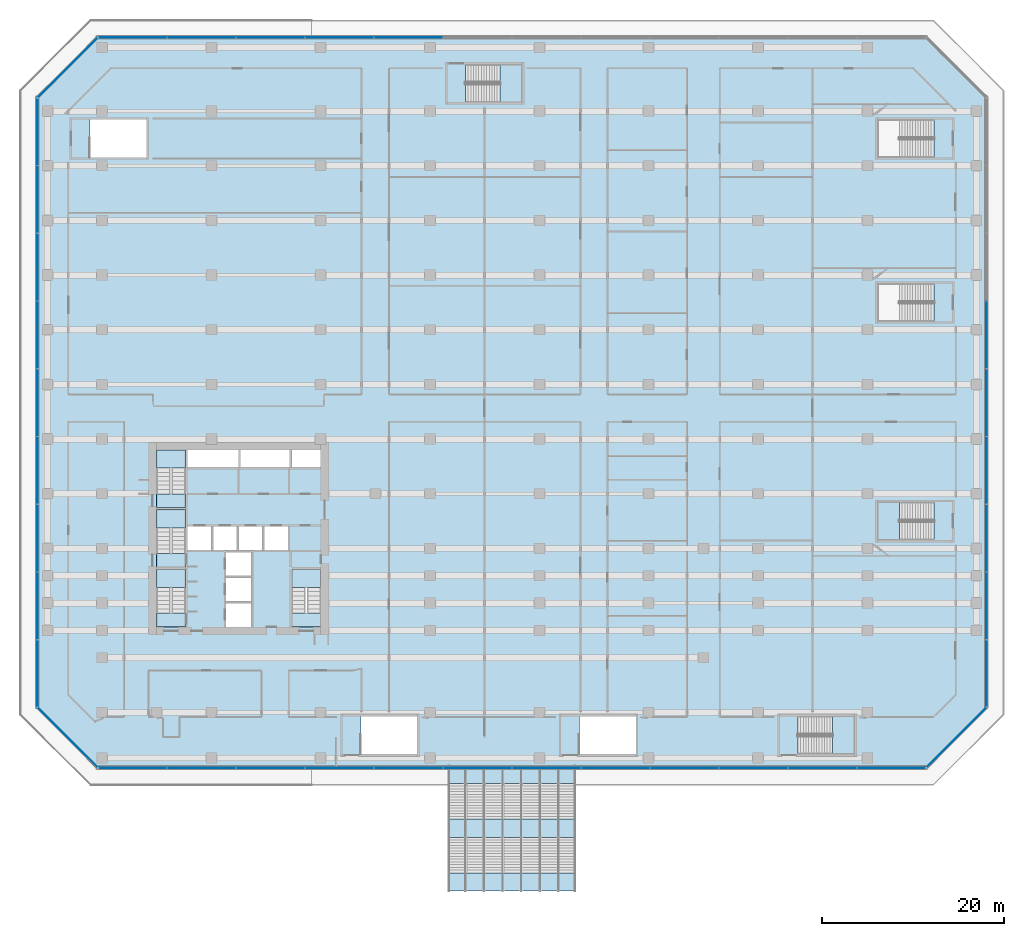
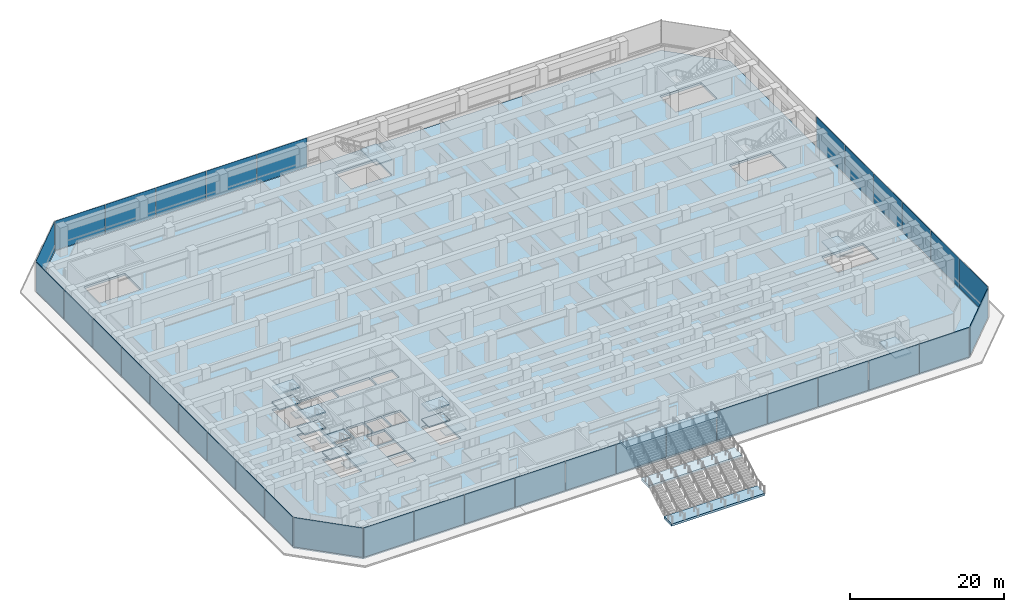
# One storey, part 25 of 40: 35 plates, 19 slabs, 15 elements without a shape of their own.
"""IFC4 building model written with IfcOpenShell, lengths in metres."""

import ifcopenshell
import ifcopenshell.guid

model = None  # the IFC model being written
_history = None  # IfcOwnerHistory: only IFC2X3 demands one
_inside = {}  # id of a spatial element -> (the spatial element, [elements in it])
_under = {}  # id of a project, library or spatial element -> (it, [spatial elements below it])
_declared = {}  # id of a project -> (the project, [libraries it declares])
_typed = {}  # id of a type object -> (the type object, [elements of that type])
_made_of = {}  # id of a material, layer set ... -> (it, [elements and type objects made of it])


def new_model(schema):
    """Start an empty IFC model of exactly this schema.

    Asked for "IFC4X3", IfcOpenShell would pick the latest addendum, in which some entities
    have other attributes; the version numbers below select the first issue.
    IFC2X3 requires an IfcOwnerHistory on every rooted entity: one is made here for all.
    """
    global model, _history
    if schema == "IFC4X3":
        model = ifcopenshell.file(schema_version=(4, 3, 0, 0))
    else:
        model = ifcopenshell.file(schema=schema)
    _inside.clear()
    _under.clear()
    _declared.clear()
    _typed.clear()
    _made_of.clear()
    _history = None
    if model.schema == "IFC2X3":
        org = make("IfcOrganization", Name="unknown")
        user = make(
            "IfcPersonAndOrganization",
            ThePerson=make("IfcPerson", FamilyName="unknown"),
            TheOrganization=org,
        )
        app = make(
            "IfcApplication",
            ApplicationDeveloper=org,
            Version="unknown",
            ApplicationFullName="unknown",
            ApplicationIdentifier="unknown",
        )
        _history = make(
            "IfcOwnerHistory",
            OwningUser=user,
            OwningApplication=app,
            ChangeAction="ADDED",
            CreationDate=0,
        )
    return model


def make(cls, **values):
    """One entity of the class cls with the attributes given. An attribute that is None is left unset."""
    return model.create_entity(
        cls, **{name: value for name, value in values.items() if value is not None}
    )


def rooted(cls, **values):
    """An entity with a GlobalId (a new one), such as an element, a storey or a relation."""
    return make(cls, GlobalId=ifcopenshell.guid.new(), OwnerHistory=_history, **values)


def si_unit(unit_type, name, prefix=None):
    """IfcSIUnit, for example si_unit("LENGTHUNIT", "METRE", prefix="MILLI")."""
    return make("IfcSIUnit", UnitType=unit_type, Prefix=prefix, Name=name)


def assignment(units):
    """IfcUnitAssignment: the units of a project."""
    return None if units is None else make("IfcUnitAssignment", Units=units)


def point(xyz):
    """IfcCartesianPoint."""
    return None if xyz is None else make("IfcCartesianPoint", Coordinates=xyz)


def direction(xyz):
    """IfcDirection."""
    return None if xyz is None else make("IfcDirection", DirectionRatios=xyz)


def frame(location, z_axis=None, x_axis=None):
    """IfcAxis2Placement3D, a coordinate frame: its origin and axes. An axis left out is left unset."""
    return make(
        "IfcAxis2Placement3D",
        Location=point(location),
        Axis=direction(z_axis),
        RefDirection=direction(x_axis),
    )


def frame_2d(location, x_axis=None):
    """IfcAxis2Placement2D, a coordinate frame in the plane: its origin and x axis."""
    return make(
        "IfcAxis2Placement2D", Location=point(location), RefDirection=direction(x_axis)
    )


def origin():
    """The frame at (0, 0, 0) with its axes left unset."""
    return frame((0.0, 0.0, 0.0))


def origin_2d():
    """The frame at (0, 0) in the plane with its x axis left unset."""
    return frame_2d((0.0, 0.0))


def place(relative_to, where):
    """IfcLocalPlacement: puts the frame where relative to a parent placement (None: the world)."""
    return make(
        "IfcLocalPlacement", PlacementRelTo=relative_to, RelativePlacement=where
    )


def context(
    kind, dimensions, precision=None, world=None, true_north=None, identifier=None
):
    """IfcGeometricRepresentationContext, for example the 3D "Model" context."""
    return make(
        "IfcGeometricRepresentationContext",
        ContextIdentifier=identifier,
        ContextType=kind,
        CoordinateSpaceDimension=dimensions,
        Precision=precision,
        WorldCoordinateSystem=world,
        TrueNorth=true_north,
    )


def subcontext(parent, identifier, kind, view, scale=None):
    """IfcGeometricRepresentationSubContext, for example "Body" below "Model"."""
    return make(
        "IfcGeometricRepresentationSubContext",
        ContextIdentifier=identifier,
        ContextType=kind,
        ParentContext=parent,
        TargetScale=scale,
        TargetView=view,
    )


def project(units=None, contexts=None):
    """IfcProject with its units and contexts."""
    return rooted(
        "IfcProject",
        Name="project",
        RepresentationContexts=contexts,
        UnitsInContext=assignment(units),
    )


def spatial(cls, under=None, at=None, **own):
    """A site, building, storey or space (cls), placed at a placement, below another one or the project."""
    s = rooted(cls, ObjectPlacement=at, **own)
    if under is not None:
        _under.setdefault(under.id(), (under, []))[1].append(s)
    return s


def polyline(points):
    """IfcPolyline through the points."""
    return make("IfcPolyline", Points=[point(p) for p in points])


def profile(cls, at=None, kind="AREA", **sizes):
    """A parametric profile (cls). Its sizes go by their IFC names, for example OverallWidth=200.0."""
    return make(cls, ProfileType=kind, Position=at, **sizes)


def rectangle(**sizes):
    """IfcRectangleProfileDef."""
    return profile("IfcRectangleProfileDef", **sizes)


def outline(outer, holes=None, kind="AREA"):
    """IfcArbitraryClosedProfileDef: a profile drawn as a closed curve; with holes, ...WithVoids."""
    if holes is None:
        return make("IfcArbitraryClosedProfileDef", ProfileType=kind, OuterCurve=outer)
    return make(
        "IfcArbitraryProfileDefWithVoids",
        ProfileType=kind,
        OuterCurve=outer,
        InnerCurves=holes,
    )


def extrude(swept, where, along, depth):
    """IfcExtrudedAreaSolid: the profile swept, set in the frame where, extruded along a direction by depth."""
    return make(
        "IfcExtrudedAreaSolid",
        SweptArea=swept,
        Position=where,
        ExtrudedDirection=direction(along),
        Depth=depth,
    )


def shape(context_of_items, identifier, shape_type, items):
    """IfcShapeRepresentation: the items that make up one representation, for example the "Body"."""
    return make(
        "IfcShapeRepresentation",
        ContextOfItems=context_of_items,
        RepresentationIdentifier=identifier,
        RepresentationType=shape_type,
        Items=items,
    )


def material(Name=None, Category=None):
    """IfcMaterial."""
    return make("IfcMaterial", Name=Name, Category=Category)


def layer(
    of_material, thickness, ventilated=None, Name=None, Category=None, Priority=None
):
    """IfcMaterialLayer: one layer of a wall or slab, of a material (None: an air gap)."""
    return make(
        "IfcMaterialLayer",
        Material=of_material,
        LayerThickness=thickness,
        IsVentilated=ventilated,
        Name=Name,
        Category=Category,
        Priority=Priority,
    )


def layer_set(layers, Name=None):
    """IfcMaterialLayerSet."""
    return make("IfcMaterialLayerSet", MaterialLayers=layers, LayerSetName=Name)


def made_of(thing, what):
    """Note that an element or type object is made of a material, layer set ...; save() writes the relation."""
    if what is not None:
        _made_of.setdefault(what.id(), (what, []))[1].append(thing)
    return thing


def type_object(cls, material=None, **own):
    """A type object (cls), such as IfcWallType, which elements share."""
    return made_of(rooted(cls, **own), material)


def element(
    cls,
    number,
    at=None,
    inside=None,
    cuts=None,
    type_object=None,
    material=None,
    context=None,
    identifier="Body",
    shape_type=None,
    held_by="IfcProductDefinitionShape",
    body=None,
    shapes=None,
    **own,
):
    """One element of the class cls, such as IfcWall. Its Tag is "e" and its number.

    at: its placement. inside: the storey or other place that contains it. cuts: it is an
    opening in that element (IfcRelVoidsElement). A single representation is given by context,
    identifier, shape_type and body (its items); several are given by shapes. held_by: the class
    of the entity that holds the representations. save() writes the other relations.
    """
    e = rooted(cls, Tag="e%d" % number, ObjectPlacement=at, **own)
    if body is not None:
        shapes = [shape(context, identifier, shape_type, body)]
    if shapes is not None:
        e.Representation = make(held_by, Representations=shapes)
    if inside is not None:
        _inside.setdefault(inside.id(), (inside, []))[1].append(e)
    if cuts is not None:
        rooted(
            "IfcRelVoidsElement", RelatingBuildingElement=cuts, RelatedOpeningElement=e
        )
    if type_object is not None:
        _typed.setdefault(type_object.id(), (type_object, []))[1].append(e)
    return made_of(e, material)


def aggregate(whole, parts):
    """IfcRelAggregates: a whole, such as a stair, and the parts it consists of."""
    return rooted("IfcRelAggregates", RelatingObject=whole, RelatedObjects=parts)


def save(model, path):
    """Write the relations noted so far, then the file.

    IfcRelAggregates (storeys below a building ...), IfcRelContainedInSpatialStructure (elements
    in a storey), IfcRelDefinesByType, IfcRelAssociatesMaterial and IfcRelDeclares: one each for
    every whole, place, type object, material and project.
    """
    for whole, parts in _under.values():
        aggregate(whole, parts)
    for where, things in _inside.values():
        rooted(
            "IfcRelContainedInSpatialStructure",
            RelatedElements=things,
            RelatingStructure=where,
        )
    for kind, things in _typed.values():
        rooted("IfcRelDefinesByType", RelatedObjects=things, RelatingType=kind)
    for what, things in _made_of.values():
        rooted("IfcRelAssociatesMaterial", RelatedObjects=things, RelatingMaterial=what)
    for by, libraries in _declared.values():
        rooted("IfcRelDeclares", RelatingContext=by, RelatedDefinitions=libraries)
    model.write(path)


model = new_model("IFC4")

# Units and contexts
model_context = context("Model", 3, precision=1e-05, world=origin(), true_north=direction((0.0, 1.0)))
body_context = subcontext(model_context, "Body", "Model", "MODEL_VIEW")
ifc_project = project(units=[si_unit("LENGTHUNIT", "METRE"), si_unit("AREAUNIT", "SQUARE_METRE"), si_unit("VOLUMEUNIT", "CUBIC_METRE"), si_unit("PLANEANGLEUNIT", "RADIAN"), si_unit("MASSUNIT", "GRAM", prefix="KILO")], contexts=[model_context])

# Site, building, storey
site_placement = place(None, origin())
site = spatial("IfcSite", under=ifc_project, at=site_placement, CompositionType="ELEMENT")
building_placement = place(site_placement, origin())
building = spatial("IfcBuilding", under=site, at=building_placement, Name="Welwitschia Terrace Campus", CompositionType="ELEMENT")
storey_placement = place(building_placement, frame((0.0, 0.0, 6.0)))
storey = spatial("IfcBuildingStorey", under=building, at=storey_placement, Name="L01", CompositionType="ELEMENT", Elevation=6.0)

# Curtain wall, plates
ifc_material_1 = material(Name="Bronze anodised aluminium", Category="aluminium")
ifc_layer_1 = layer(ifc_material_1, 0.14990234375)
ifc_layer_set_1 = layer_set([ifc_layer_1], Name="Bronze anodised aluminium")
curtain_wall_type = type_object("IfcCurtainWallType", Name="Curtain wall CW1 podium 7500", PredefinedType="NOTDEFINED", material=ifc_layer_set_1)
curtain_wall_1_placement = place(storey_placement, origin())
curtain_wall_1 = element("IfcCurtainWall", 1, at=curtain_wall_1_placement, inside=storey, type_object=curtain_wall_type, Name="CW L01.0.0", PredefinedType="NOTDEFINED")
ifc_material_2 = material(Name="Tinted bronze-grey glass", Category="glass")
ifc_layer_2 = layer(ifc_material_2, 0.035888671875)
ifc_layer_set_2 = layer_set([ifc_layer_2], Name="Tinted bronze-grey glass")
plate_type = type_object("IfcPlateType", Name="Glass panel 36 tinted", PredefinedType="CURTAIN_PANEL", material=ifc_layer_set_2)
plate_1_placement = place(storey_placement, frame((3.35791015625, -10.0849609375, 0.0), z_axis=(0.0, 0.0, 1.0), x_axis=(1.0, 0.0, 0.0)))
plate_1 = element("IfcPlate", 2, at=plate_1_placement, type_object=plate_type, Name="Panel L01.0.0.0", PredefinedType="CURTAIN_PANEL", context=body_context, shape_type="SweptSolid", body=[
    extrude(rectangle(XDim=7.454833984375, YDim=0.035888671875, at=origin_2d()), origin(), (0.0, 0.0, 1.0), 4.64990234375),
])
plate_2_placement = place(storey_placement, frame((10.912841796875, -10.0849609375, 0.0), z_axis=(0.0, 0.0, 1.0), x_axis=(1.0, 0.0, 0.0)))
plate_2 = element("IfcPlate", 3, at=plate_2_placement, type_object=plate_type, Name="Panel L01.0.0.1", PredefinedType="CURTAIN_PANEL", context=body_context, shape_type="SweptSolid", body=[
    extrude(rectangle(XDim=7.494873046875, YDim=0.035888671875, at=origin_2d()), origin(), (0.0, 0.0, 1.0), 4.64990234375),
])
plate_3_placement = place(storey_placement, frame((18.48779296875, -10.0849609375, 0.0), z_axis=(0.0, 0.0, 1.0), x_axis=(1.0, 0.0, 0.0)))
plate_3 = element("IfcPlate", 4, at=plate_3_placement, type_object=plate_type, Name="Panel L01.0.0.2", PredefinedType="CURTAIN_PANEL", context=body_context, shape_type="SweptSolid", body=[
    extrude(rectangle(XDim=7.494873046875, YDim=0.035888671875, at=origin_2d()), origin(), (0.0, 0.0, 1.0), 4.64990234375),
])
plate_4_placement = place(storey_placement, frame((26.062744140625, -10.0849609375, 0.0), z_axis=(0.0, 0.0, 1.0), x_axis=(1.0, 0.0, 0.0)))
plate_4 = element("IfcPlate", 5, at=plate_4_placement, type_object=plate_type, Name="Panel L01.0.0.3", PredefinedType="CURTAIN_PANEL", context=body_context, shape_type="SweptSolid", body=[
    extrude(rectangle(XDim=7.494873046875, YDim=0.035888671875, at=origin_2d()), origin(), (0.0, 0.0, 1.0), 4.64990234375),
])
plate_5_placement = place(storey_placement, frame((33.6376953125, -10.0849609375, 0.0), z_axis=(0.0, 0.0, 1.0), x_axis=(1.0, 0.0, 0.0)))
plate_5 = element("IfcPlate", 6, at=plate_5_placement, type_object=plate_type, Name="Panel L01.0.0.4", PredefinedType="CURTAIN_PANEL", context=body_context, shape_type="SweptSolid", body=[
    extrude(rectangle(XDim=7.494873046875, YDim=0.035888671875, at=origin_2d()), origin(), (0.0, 0.0, 1.0), 4.64990234375),
])
plate_6_placement = place(storey_placement, frame((41.212646484375, -10.0849609375, 0.0), z_axis=(0.0, 0.0, 1.0), x_axis=(1.0, 0.0, 0.0)))
plate_6 = element("IfcPlate", 7, at=plate_6_placement, type_object=plate_type, Name="Panel L01.0.0.5", PredefinedType="CURTAIN_PANEL", context=body_context, shape_type="SweptSolid", body=[
    extrude(rectangle(XDim=7.494873046875, YDim=0.035888671875, at=origin_2d()), origin(), (0.0, 0.0, 1.0), 4.64990234375),
])
plate_7_placement = place(storey_placement, frame((48.787353515625, -10.0849609375, 0.0), z_axis=(0.0, 0.0, 1.0), x_axis=(1.0, 0.0, 0.0)))
plate_7 = element("IfcPlate", 8, at=plate_7_placement, type_object=plate_type, Name="Panel L01.0.0.6", PredefinedType="CURTAIN_PANEL", context=body_context, shape_type="SweptSolid", body=[
    extrude(rectangle(XDim=7.494873046875, YDim=0.035888671875, at=origin_2d()), origin(), (0.0, 0.0, 1.0), 4.64990234375),
])
plate_8_placement = place(storey_placement, frame((56.3623046875, -10.0849609375, 0.0), z_axis=(0.0, 0.0, 1.0), x_axis=(1.0, 0.0, 0.0)))
plate_8 = element("IfcPlate", 9, at=plate_8_placement, type_object=plate_type, Name="Panel L01.0.0.7", PredefinedType="CURTAIN_PANEL", context=body_context, shape_type="SweptSolid", body=[
    extrude(rectangle(XDim=7.494873046875, YDim=0.035888671875, at=origin_2d()), origin(), (0.0, 0.0, 1.0), 4.64990234375),
])
plate_9_placement = place(storey_placement, frame((63.937255859375, -10.0849609375, 0.0), z_axis=(0.0, 0.0, 1.0), x_axis=(1.0, 0.0, 0.0)))
plate_9 = element("IfcPlate", 10, at=plate_9_placement, type_object=plate_type, Name="Panel L01.0.0.8", PredefinedType="CURTAIN_PANEL", context=body_context, shape_type="SweptSolid", body=[
    extrude(rectangle(XDim=7.494873046875, YDim=0.035888671875, at=origin_2d()), origin(), (0.0, 0.0, 1.0), 4.64990234375),
])
plate_10_placement = place(storey_placement, frame((71.51220703125, -10.0849609375, 0.0), z_axis=(0.0, 0.0, 1.0), x_axis=(1.0, 0.0, 0.0)))
plate_10 = element("IfcPlate", 11, at=plate_10_placement, type_object=plate_type, Name="Panel L01.0.0.9", PredefinedType="CURTAIN_PANEL", context=body_context, shape_type="SweptSolid", body=[
    extrude(rectangle(XDim=7.494873046875, YDim=0.035888671875, at=origin_2d()), origin(), (0.0, 0.0, 1.0), 4.64990234375),
])
plate_11_placement = place(storey_placement, frame((79.087158203125, -10.0849609375, 0.0), z_axis=(0.0, 0.0, 1.0), x_axis=(1.0, 0.0, 0.0)))
plate_11 = element("IfcPlate", 12, at=plate_11_placement, type_object=plate_type, Name="Panel L01.0.0.10", PredefinedType="CURTAIN_PANEL", context=body_context, shape_type="SweptSolid", body=[
    extrude(rectangle(XDim=7.494873046875, YDim=0.035888671875, at=origin_2d()), origin(), (0.0, 0.0, 1.0), 4.64990234375),
])
plate_12_placement = place(storey_placement, frame((86.64208984375, -10.0849609375, 0.0), z_axis=(0.0, 0.0, 1.0), x_axis=(1.0, 0.0, 0.0)))
plate_12 = element("IfcPlate", 13, at=plate_12_placement, type_object=plate_type, Name="Panel L01.0.0.11", PredefinedType="CURTAIN_PANEL", context=body_context, shape_type="SweptSolid", body=[
    extrude(rectangle(XDim=7.454833984375, YDim=0.035888671875, at=origin_2d()), origin(), (0.0, 0.0, 1.0), 4.64990234375),
])
aggregate(curtain_wall_1, [plate_1, plate_2, plate_3, plate_4, plate_5, plate_6, plate_7, plate_8, plate_9, plate_10, plate_11, plate_12])

# Curtain wall, plate
curtain_wall_2_placement = place(storey_placement, origin())
curtain_wall_2 = element("IfcCurtainWall", 14, at=curtain_wall_2_placement, inside=storey, type_object=curtain_wall_type, Name="CW L01.1.0", PredefinedType="NOTDEFINED")
plate_13_placement = place(storey_placement, frame((93.76708984375, -6.76708984375, 0.0), z_axis=(0.0, 0.0, 1.0), x_axis=(0.707106781187, 0.707106781187, 0.0)))
plate_13 = element("IfcPlate", 15, at=plate_13_placement, type_object=plate_type, Name="Panel L01.1.0.0", PredefinedType="CURTAIN_PANEL", context=body_context, shape_type="SweptSolid", body=[
    extrude(rectangle(XDim=9.22412109375, YDim=0.035888671875, at=origin_2d()), origin(), (0.0, 0.0, 1.0), 4.64990234375),
])
aggregate(curtain_wall_2, [plate_13])

# Curtain wall, plates
curtain_wall_3_placement = place(storey_placement, origin())
curtain_wall_3 = element("IfcCurtainWall", 16, at=curtain_wall_3_placement, inside=storey, type_object=curtain_wall_type, Name="CW L01.2.0", PredefinedType="NOTDEFINED")
plate_14_placement = place(storey_placement, frame((97.0849609375, 0.287109375, 0.0), z_axis=(0.0, 0.0, 1.0), x_axis=(0.0, 1.0, 0.0)))
plate_14 = element("IfcPlate", 17, at=plate_14_placement, type_object=plate_type, Name="Panel L01.2.0.0", PredefinedType="CURTAIN_PANEL", context=body_context, shape_type="SweptSolid", body=[
    extrude(rectangle(XDim=7.313232421875, YDim=0.035888671875, at=origin_2d()), origin(), (0.0, 0.0, 1.0), 4.64990234375),
])
plate_15_placement = place(storey_placement, frame((97.0849609375, 7.700439453125, 0.0), z_axis=(0.0, 0.0, 1.0), x_axis=(0.0, 1.0, 0.0)))
plate_15 = element("IfcPlate", 18, at=plate_15_placement, type_object=plate_type, Name="Panel L01.2.0.1", PredefinedType="CURTAIN_PANEL", context=body_context, shape_type="SweptSolid", body=[
    extrude(rectangle(XDim=7.353271484375, YDim=0.035888671875, at=origin_2d()), origin(), (0.0, 0.0, 1.0), 4.64990234375),
])
plate_16_placement = place(storey_placement, frame((97.0849609375, 15.133544921875, 0.0), z_axis=(0.0, 0.0, 1.0), x_axis=(0.0, 1.0, 0.0)))
plate_16 = element("IfcPlate", 19, at=plate_16_placement, type_object=plate_type, Name="Panel L01.2.0.2", PredefinedType="CURTAIN_PANEL", context=body_context, shape_type="SweptSolid", body=[
    extrude(rectangle(XDim=7.353271484375, YDim=0.035888671875, at=origin_2d()), origin(), (0.0, 0.0, 1.0), 4.64990234375),
])
plate_17_placement = place(storey_placement, frame((97.0849609375, 22.56689453125, 0.0), z_axis=(0.0, 0.0, 1.0), x_axis=(0.0, 1.0, 0.0)))
plate_17 = element("IfcPlate", 20, at=plate_17_placement, type_object=plate_type, Name="Panel L01.2.0.3", PredefinedType="CURTAIN_PANEL", context=body_context, shape_type="SweptSolid", body=[
    extrude(rectangle(XDim=7.353271484375, YDim=0.035888671875, at=origin_2d()), origin(), (0.0, 0.0, 1.0), 4.64990234375),
])
plate_18_placement = place(storey_placement, frame((97.0849609375, 30.0, 0.0), z_axis=(0.0, 0.0, 1.0), x_axis=(0.0, 1.0, 0.0)))
plate_18 = element("IfcPlate", 21, at=plate_18_placement, type_object=plate_type, Name="Panel L01.2.0.4", PredefinedType="CURTAIN_PANEL", context=body_context, shape_type="SweptSolid", body=[
    extrude(rectangle(XDim=7.353271484375, YDim=0.035888671875, at=origin_2d()), origin(), (0.0, 0.0, 1.0), 4.64990234375),
])
plate_19_placement = place(storey_placement, frame((97.0849609375, 37.43310546875, 0.0), z_axis=(0.0, 0.0, 1.0), x_axis=(0.0, 1.0, 0.0)))
plate_19 = element("IfcPlate", 22, at=plate_19_placement, type_object=plate_type, Name="Panel L01.2.0.5", PredefinedType="CURTAIN_PANEL", context=body_context, shape_type="SweptSolid", body=[
    extrude(rectangle(XDim=7.353271484375, YDim=0.035888671875, at=origin_2d()), origin(), (0.0, 0.0, 1.0), 4.64990234375),
])
aggregate(curtain_wall_3, [plate_14, plate_15, plate_16, plate_17, plate_18, plate_19])

curtain_wall_4_placement = place(storey_placement, origin())
curtain_wall_4 = element("IfcCurtainWall", 23, at=curtain_wall_4_placement, inside=storey, type_object=curtain_wall_type, Name="CW L01.4.0", PredefinedType="NOTDEFINED")
plate_20_placement = place(storey_placement, frame((33.6376953125, 70.0849609375, 0.0), z_axis=(0.0, 0.0, 1.0), x_axis=(-1.0, 0.0, 0.0)))
plate_20 = element("IfcPlate", 24, at=plate_20_placement, type_object=plate_type, Name="Panel L01.4.0.7", PredefinedType="CURTAIN_PANEL", context=body_context, shape_type="SweptSolid", body=[
    extrude(rectangle(XDim=7.494873046875, YDim=0.035888671875, at=origin_2d()), origin(), (0.0, 0.0, 1.0), 4.64990234375),
])
plate_21_placement = place(storey_placement, frame((26.062744140625, 70.0849609375, 0.0), z_axis=(0.0, 0.0, 1.0), x_axis=(-1.0, 0.0, 0.0)))
plate_21 = element("IfcPlate", 25, at=plate_21_placement, type_object=plate_type, Name="Panel L01.4.0.8", PredefinedType="CURTAIN_PANEL", context=body_context, shape_type="SweptSolid", body=[
    extrude(rectangle(XDim=7.494873046875, YDim=0.035888671875, at=origin_2d()), origin(), (0.0, 0.0, 1.0), 4.64990234375),
])
plate_22_placement = place(storey_placement, frame((18.48779296875, 70.0849609375, 0.0), z_axis=(0.0, 0.0, 1.0), x_axis=(-1.0, 0.0, 0.0)))
plate_22 = element("IfcPlate", 26, at=plate_22_placement, type_object=plate_type, Name="Panel L01.4.0.9", PredefinedType="CURTAIN_PANEL", context=body_context, shape_type="SweptSolid", body=[
    extrude(rectangle(XDim=7.494873046875, YDim=0.035888671875, at=origin_2d()), origin(), (0.0, 0.0, 1.0), 4.64990234375),
])
plate_23_placement = place(storey_placement, frame((10.912841796875, 70.0849609375, 0.0), z_axis=(0.0, 0.0, 1.0), x_axis=(-1.0, 0.0, 0.0)))
plate_23 = element("IfcPlate", 27, at=plate_23_placement, type_object=plate_type, Name="Panel L01.4.0.10", PredefinedType="CURTAIN_PANEL", context=body_context, shape_type="SweptSolid", body=[
    extrude(rectangle(XDim=7.494873046875, YDim=0.035888671875, at=origin_2d()), origin(), (0.0, 0.0, 1.0), 4.64990234375),
])
plate_24_placement = place(storey_placement, frame((3.35791015625, 70.0849609375, 0.0), z_axis=(0.0, 0.0, 1.0), x_axis=(-1.0, 0.0, 0.0)))
plate_24 = element("IfcPlate", 28, at=plate_24_placement, type_object=plate_type, Name="Panel L01.4.0.11", PredefinedType="CURTAIN_PANEL", context=body_context, shape_type="SweptSolid", body=[
    extrude(rectangle(XDim=7.454833984375, YDim=0.035888671875, at=origin_2d()), origin(), (0.0, 0.0, 1.0), 4.64990234375),
])
aggregate(curtain_wall_4, [plate_20, plate_21, plate_22, plate_23, plate_24])

# Curtain wall, plate
curtain_wall_5_placement = place(storey_placement, origin())
curtain_wall_5 = element("IfcCurtainWall", 29, at=curtain_wall_5_placement, inside=storey, type_object=curtain_wall_type, Name="CW L01.5.0", PredefinedType="NOTDEFINED")
plate_25_placement = place(storey_placement, frame((-3.76708984375, 66.76708984375, 0.0), z_axis=(0.0, 0.0, 1.0), x_axis=(-0.707106781187, -0.707106781187, 0.0)))
plate_25 = element("IfcPlate", 30, at=plate_25_placement, type_object=plate_type, Name="Panel L01.5.0.0", PredefinedType="CURTAIN_PANEL", context=body_context, shape_type="SweptSolid", body=[
    extrude(rectangle(XDim=9.22412109375, YDim=0.035888671875, at=origin_2d()), origin(), (0.0, 0.0, 1.0), 4.64990234375),
])
aggregate(curtain_wall_5, [plate_25])

# Curtain wall, plates
curtain_wall_6_placement = place(storey_placement, origin())
curtain_wall_6 = element("IfcCurtainWall", 31, at=curtain_wall_6_placement, inside=storey, type_object=curtain_wall_type, Name="CW L01.6.0", PredefinedType="NOTDEFINED")
plate_26_placement = place(storey_placement, frame((-7.0849609375, 59.712890625, 0.0), z_axis=(0.0, 0.0, 1.0), x_axis=(0.0, -1.0, 0.0)))
plate_26 = element("IfcPlate", 32, at=plate_26_placement, type_object=plate_type, Name="Panel L01.6.0.0", PredefinedType="CURTAIN_PANEL", context=body_context, shape_type="SweptSolid", body=[
    extrude(rectangle(XDim=7.313232421875, YDim=0.035888671875, at=origin_2d()), origin(), (0.0, 0.0, 1.0), 4.64990234375),
])
plate_27_placement = place(storey_placement, frame((-7.0849609375, 52.299560546875, 0.0), z_axis=(0.0, 0.0, 1.0), x_axis=(0.0, -1.0, 0.0)))
plate_27 = element("IfcPlate", 33, at=plate_27_placement, type_object=plate_type, Name="Panel L01.6.0.1", PredefinedType="CURTAIN_PANEL", context=body_context, shape_type="SweptSolid", body=[
    extrude(rectangle(XDim=7.353271484375, YDim=0.035888671875, at=origin_2d()), origin(), (0.0, 0.0, 1.0), 4.64990234375),
])
plate_28_placement = place(storey_placement, frame((-7.0849609375, 44.866455078125, 0.0), z_axis=(0.0, 0.0, 1.0), x_axis=(0.0, -1.0, 0.0)))
plate_28 = element("IfcPlate", 34, at=plate_28_placement, type_object=plate_type, Name="Panel L01.6.0.2", PredefinedType="CURTAIN_PANEL", context=body_context, shape_type="SweptSolid", body=[
    extrude(rectangle(XDim=7.353271484375, YDim=0.035888671875, at=origin_2d()), origin(), (0.0, 0.0, 1.0), 4.64990234375),
])
plate_29_placement = place(storey_placement, frame((-7.0849609375, 37.43310546875, 0.0), z_axis=(0.0, 0.0, 1.0), x_axis=(0.0, -1.0, 0.0)))
plate_29 = element("IfcPlate", 35, at=plate_29_placement, type_object=plate_type, Name="Panel L01.6.0.3", PredefinedType="CURTAIN_PANEL", context=body_context, shape_type="SweptSolid", body=[
    extrude(rectangle(XDim=7.353271484375, YDim=0.035888671875, at=origin_2d()), origin(), (0.0, 0.0, 1.0), 4.64990234375),
])
plate_30_placement = place(storey_placement, frame((-7.0849609375, 30.0, 0.0), z_axis=(0.0, 0.0, 1.0), x_axis=(0.0, -1.0, 0.0)))
plate_30 = element("IfcPlate", 36, at=plate_30_placement, type_object=plate_type, Name="Panel L01.6.0.4", PredefinedType="CURTAIN_PANEL", context=body_context, shape_type="SweptSolid", body=[
    extrude(rectangle(XDim=7.353271484375, YDim=0.035888671875, at=origin_2d()), origin(), (0.0, 0.0, 1.0), 4.64990234375),
])
plate_31_placement = place(storey_placement, frame((-7.0849609375, 22.56689453125, 0.0), z_axis=(0.0, 0.0, 1.0), x_axis=(0.0, -1.0, 0.0)))
plate_31 = element("IfcPlate", 37, at=plate_31_placement, type_object=plate_type, Name="Panel L01.6.0.5", PredefinedType="CURTAIN_PANEL", context=body_context, shape_type="SweptSolid", body=[
    extrude(rectangle(XDim=7.353271484375, YDim=0.035888671875, at=origin_2d()), origin(), (0.0, 0.0, 1.0), 4.64990234375),
])
plate_32_placement = place(storey_placement, frame((-7.0849609375, 15.133544921875, 0.0), z_axis=(0.0, 0.0, 1.0), x_axis=(0.0, -1.0, 0.0)))
plate_32 = element("IfcPlate", 38, at=plate_32_placement, type_object=plate_type, Name="Panel L01.6.0.6", PredefinedType="CURTAIN_PANEL", context=body_context, shape_type="SweptSolid", body=[
    extrude(rectangle(XDim=7.353271484375, YDim=0.035888671875, at=origin_2d()), origin(), (0.0, 0.0, 1.0), 4.64990234375),
])
plate_33_placement = place(storey_placement, frame((-7.0849609375, 7.700439453125, 0.0), z_axis=(0.0, 0.0, 1.0), x_axis=(0.0, -1.0, 0.0)))
plate_33 = element("IfcPlate", 39, at=plate_33_placement, type_object=plate_type, Name="Panel L01.6.0.7", PredefinedType="CURTAIN_PANEL", context=body_context, shape_type="SweptSolid", body=[
    extrude(rectangle(XDim=7.353271484375, YDim=0.035888671875, at=origin_2d()), origin(), (0.0, 0.0, 1.0), 4.64990234375),
])
plate_34_placement = place(storey_placement, frame((-7.0849609375, 0.287109375, 0.0), z_axis=(0.0, 0.0, 1.0), x_axis=(0.0, -1.0, 0.0)))
plate_34 = element("IfcPlate", 40, at=plate_34_placement, type_object=plate_type, Name="Panel L01.6.0.8", PredefinedType="CURTAIN_PANEL", context=body_context, shape_type="SweptSolid", body=[
    extrude(rectangle(XDim=7.313232421875, YDim=0.035888671875, at=origin_2d()), origin(), (0.0, 0.0, 1.0), 4.64990234375),
])
aggregate(curtain_wall_6, [plate_26, plate_27, plate_28, plate_29, plate_30, plate_31, plate_32, plate_33, plate_34])

# Curtain wall, plate
curtain_wall_7_placement = place(storey_placement, origin())
curtain_wall_7 = element("IfcCurtainWall", 41, at=curtain_wall_7_placement, inside=storey, type_object=curtain_wall_type, Name="CW L01.7.0", PredefinedType="NOTDEFINED")
plate_35_placement = place(storey_placement, frame((-3.76708984375, -6.76708984375, 0.0), z_axis=(0.0, 0.0, 1.0), x_axis=(0.707106781187, -0.707106781187, 0.0)))
plate_35 = element("IfcPlate", 42, at=plate_35_placement, type_object=plate_type, Name="Panel L01.7.0.0", PredefinedType="CURTAIN_PANEL", context=body_context, shape_type="SweptSolid", body=[
    extrude(rectangle(XDim=9.22412109375, YDim=0.035888671875, at=origin_2d()), origin(), (0.0, 0.0, 1.0), 4.64990234375),
])
aggregate(curtain_wall_7, [plate_35])

# Stair, slabs
ifc_material_3 = material(Name="Concrete C40/50", Category="concrete")
stair_type_1 = type_object("IfcStairType", Name="Entrance stair", PredefinedType="STRAIGHT_RUN_STAIR", material=ifc_material_3)
stair_1_placement = place(storey_placement, origin())
stair_1 = element("IfcStair", 43, at=stair_1_placement, inside=storey, type_object=stair_type_1, Name="Entrance stair to garden deck 2 of 2", PredefinedType="STRAIGHT_RUN_STAIR")
ifc_material_4 = material(Name="Concrete C40/50", Category="concrete")
ifc_layer_3 = layer(ifc_material_4, 0.340087890625)
ifc_layer_set_3 = layer_set([ifc_layer_3], Name="Concrete C40/50")
slab_type_1 = type_object("IfcSlabType", Name="Stair landing 340", PredefinedType="LANDING", material=ifc_layer_set_3)
slab_1_placement = place(storey_placement, frame((0.0, 0.0, -0.35302734375)))
slab_1 = element("IfcSlab", 44, at=slab_1_placement, type_object=slab_type_1, Name="Entrance stair to garden deck 2 of 2 landing 1", PredefinedType="LANDING", context=body_context, shape_type="SweptSolid", body=[
    extrude(outline(polyline([(38.0, -23.60009765625), (52.0, -23.60009765625), (52.0, -21.60009765625), (38.0, -21.60009765625), (38.0, -23.60009765625)])), origin(), (0.0, 0.0, 1.0), 0.35302734375),
])
slab_2_placement = place(storey_placement, frame((0.0, 0.0, 2.14697265625)))
slab_2 = element("IfcSlab", 45, at=slab_2_placement, type_object=slab_type_1, Name="Entrance stair to garden deck 2 of 2 landing 2", PredefinedType="LANDING", context=body_context, shape_type="SweptSolid", body=[
    extrude(outline(polyline([(38.0, -17.699951171875), (52.0, -17.699951171875), (52.0, -15.699951171875), (38.0, -15.699951171875), (38.0, -17.699951171875)])), origin(), (0.0, 0.0, 1.0), 0.35302734375),
])
slab_3_placement = place(storey_placement, frame((0.0, 0.0, 4.64697265625)))
slab_3 = element("IfcSlab", 46, at=slab_3_placement, type_object=slab_type_1, Name="Entrance stair to garden deck 2 of 2 landing 3", PredefinedType="LANDING", context=body_context, shape_type="SweptSolid", body=[
    extrude(outline(polyline([(38.0, -11.800048828125), (52.0, -11.800048828125), (52.0, -10.0), (38.0, -10.0), (38.0, -11.800048828125)])), origin(), (0.0, 0.0, 1.0), 0.35302734375),
])
aggregate(stair_1, [slab_1, slab_2, slab_3])

ifc_material_5 = material(Name="Concrete C40/50", Category="concrete")
stair_type_2 = type_object("IfcStairType", Name="Stair 28R 179 W1500", PredefinedType="HALF_TURN_STAIR", material=ifc_material_5)
stair_2_placement = place(storey_placement, origin())
stair_2 = element("IfcStair", 47, at=stair_2_placement, inside=storey, type_object=stair_type_2, Name="L01 Exit stair S1", PredefinedType="HALF_TURN_STAIR")
ifc_material_6 = material(Name="Concrete C40/50", Category="concrete")
ifc_layer_4 = layer(ifc_material_6, 0.199951171875)
ifc_layer_set_4 = layer_set([ifc_layer_4], Name="Concrete C40/50")
slab_type_2 = type_object("IfcSlabType", Name="Stair landing RC", PredefinedType="LANDING", material=ifc_layer_set_4)
slab_4_placement = place(storey_placement, frame((0.0, 0.0, 1.050048828125)))
slab_4 = element("IfcSlab", 48, at=slab_4_placement, type_object=slab_type_2, Name="S1 landing 1", PredefinedType="LANDING", context=body_context, shape_type="SweptSolid", body=[
    extrude(outline(polyline([(9.14990234375, 9.719970703125), (9.14990234375, 11.699951171875), (6.0, 11.699951171875), (6.0, 9.719970703125), (9.14990234375, 9.719970703125)])), origin(), (0.0, 0.0, 1.0), 0.199951171875),
])
slab_5_placement = place(storey_placement, frame((0.0, 0.0, 2.300048828125)))
slab_5 = element("IfcSlab", 49, at=slab_5_placement, type_object=slab_type_2, Name="S1 landing 2", PredefinedType="LANDING", context=body_context, shape_type="SweptSolid", body=[
    extrude(outline(polyline([(9.14990234375, 5.39990234375), (9.14990234375, 6.89990234375), (6.0, 6.89990234375), (6.0, 5.39990234375), (9.14990234375, 5.39990234375)])), origin(), (0.0, 0.0, 1.0), 0.199951171875),
])
slab_6_placement = place(storey_placement, frame((0.0, 0.0, 3.550048828125)))
slab_6 = element("IfcSlab", 50, at=slab_6_placement, type_object=slab_type_2, Name="S1 landing 3", PredefinedType="LANDING", context=body_context, shape_type="SweptSolid", body=[
    extrude(outline(polyline([(9.14990234375, 9.719970703125), (9.14990234375, 11.699951171875), (6.0, 11.699951171875), (6.0, 9.719970703125), (9.14990234375, 9.719970703125)])), origin(), (0.0, 0.0, 1.0), 0.199951171875),
])
aggregate(stair_2, [slab_4, slab_5, slab_6])

stair_3_placement = place(storey_placement, origin())
stair_3 = element("IfcStair", 51, at=stair_3_placement, inside=storey, type_object=stair_type_2, Name="L01 Exit stair S3", PredefinedType="HALF_TURN_STAIR")
slab_7_placement = place(storey_placement, frame((0.0, 0.0, 1.050048828125)))
slab_7 = element("IfcSlab", 52, at=slab_7_placement, type_object=slab_type_2, Name="S3 landing 1", PredefinedType="LANDING", context=body_context, shape_type="SweptSolid", body=[
    extrude(outline(polyline([(9.14990234375, 16.27001953125), (9.14990234375, 18.25), (6.0, 18.25), (6.0, 16.27001953125), (9.14990234375, 16.27001953125)])), origin(), (0.0, 0.0, 1.0), 0.199951171875),
])
slab_8_placement = place(storey_placement, frame((0.0, 0.0, 2.300048828125)))
slab_8 = element("IfcSlab", 53, at=slab_8_placement, type_object=slab_type_2, Name="S3 landing 2", PredefinedType="LANDING", context=body_context, shape_type="SweptSolid", body=[
    extrude(outline(polyline([(9.14990234375, 11.949951171875), (9.14990234375, 13.449951171875), (6.0, 13.449951171875), (6.0, 11.949951171875), (9.14990234375, 11.949951171875)])), origin(), (0.0, 0.0, 1.0), 0.199951171875),
])
slab_9_placement = place(storey_placement, frame((0.0, 0.0, 3.550048828125)))
slab_9 = element("IfcSlab", 54, at=slab_9_placement, type_object=slab_type_2, Name="S3 landing 3", PredefinedType="LANDING", context=body_context, shape_type="SweptSolid", body=[
    extrude(outline(polyline([(9.14990234375, 16.27001953125), (9.14990234375, 18.25), (6.0, 18.25), (6.0, 16.27001953125), (9.14990234375, 16.27001953125)])), origin(), (0.0, 0.0, 1.0), 0.199951171875),
])
aggregate(stair_3, [slab_7, slab_8, slab_9])

stair_4_placement = place(storey_placement, origin())
stair_4 = element("IfcStair", 55, at=stair_4_placement, inside=storey, type_object=stair_type_2, Name="L01 Exit stair S4", PredefinedType="HALF_TURN_STAIR")
slab_10_placement = place(storey_placement, frame((0.0, 0.0, 1.050048828125)))
slab_10 = element("IfcSlab", 56, at=slab_10_placement, type_object=slab_type_2, Name="S4 landing 1", PredefinedType="LANDING", context=body_context, shape_type="SweptSolid", body=[
    extrude(outline(polyline([(9.14990234375, 22.820068359375), (9.14990234375, 24.800048828125), (6.0, 24.800048828125), (6.0, 22.820068359375), (9.14990234375, 22.820068359375)])), origin(), (0.0, 0.0, 1.0), 0.199951171875),
])
slab_11_placement = place(storey_placement, frame((0.0, 0.0, 2.300048828125)))
slab_11 = element("IfcSlab", 57, at=slab_11_placement, type_object=slab_type_2, Name="S4 landing 2", PredefinedType="LANDING", context=body_context, shape_type="SweptSolid", body=[
    extrude(outline(polyline([(9.14990234375, 18.5), (9.14990234375, 20.0), (6.0, 20.0), (6.0, 18.5), (9.14990234375, 18.5)])), origin(), (0.0, 0.0, 1.0), 0.199951171875),
])
slab_12_placement = place(storey_placement, frame((0.0, 0.0, 3.550048828125)))
slab_12 = element("IfcSlab", 58, at=slab_12_placement, type_object=slab_type_2, Name="S4 landing 3", PredefinedType="LANDING", context=body_context, shape_type="SweptSolid", body=[
    extrude(outline(polyline([(9.14990234375, 22.820068359375), (9.14990234375, 24.800048828125), (6.0, 24.800048828125), (6.0, 22.820068359375), (9.14990234375, 22.820068359375)])), origin(), (0.0, 0.0, 1.0), 0.199951171875),
])
aggregate(stair_4, [slab_10, slab_11, slab_12])

stair_5_placement = place(storey_placement, origin())
stair_5 = element("IfcStair", 59, at=stair_5_placement, inside=storey, type_object=stair_type_2, Name="L01 Exit stair S2", PredefinedType="HALF_TURN_STAIR")
slab_13_placement = place(storey_placement, frame((0.0, 0.0, 1.050048828125)))
slab_13 = element("IfcSlab", 60, at=slab_13_placement, type_object=slab_type_2, Name="S2 landing 1", PredefinedType="LANDING", context=body_context, shape_type="SweptSolid", body=[
    extrude(outline(polyline([(24.0, 9.719970703125), (24.0, 11.699951171875), (20.85009765625, 11.699951171875), (20.85009765625, 9.719970703125), (24.0, 9.719970703125)])), origin(), (0.0, 0.0, 1.0), 0.199951171875),
])
slab_14_placement = place(storey_placement, frame((0.0, 0.0, 2.300048828125)))
slab_14 = element("IfcSlab", 61, at=slab_14_placement, type_object=slab_type_2, Name="S2 landing 2", PredefinedType="LANDING", context=body_context, shape_type="SweptSolid", body=[
    extrude(outline(polyline([(24.0, 5.39990234375), (24.0, 6.89990234375), (20.85009765625, 6.89990234375), (20.85009765625, 5.39990234375), (24.0, 5.39990234375)])), origin(), (0.0, 0.0, 1.0), 0.199951171875),
])
slab_15_placement = place(storey_placement, frame((0.0, 0.0, 3.550048828125)))
slab_15 = element("IfcSlab", 62, at=slab_15_placement, type_object=slab_type_2, Name="S2 landing 3", PredefinedType="LANDING", context=body_context, shape_type="SweptSolid", body=[
    extrude(outline(polyline([(24.0, 9.719970703125), (24.0, 11.699951171875), (20.85009765625, 11.699951171875), (20.85009765625, 9.719970703125), (24.0, 9.719970703125)])), origin(), (0.0, 0.0, 1.0), 0.199951171875),
])
aggregate(stair_5, [slab_13, slab_14, slab_15])

# Stair, slab
ifc_material_7 = material(Name="Concrete C40/50", Category="concrete")
stair_type_3 = type_object("IfcStairType", Name="Stair 28R 179 W2000", PredefinedType="HALF_TURN_STAIR", material=ifc_material_7)
stair_6_placement = place(storey_placement, origin())
stair_6 = element("IfcStair", 63, at=stair_6_placement, inside=storey, type_object=stair_type_3, Name="L01 Podium stair P5", PredefinedType="HALF_TURN_STAIR")
slab_16_placement = place(storey_placement, frame((0.0, 0.0, 2.300048828125)))
slab_16 = element("IfcSlab", 64, at=slab_16_placement, type_object=slab_type_2, Name="P5 landing 1", PredefinedType="LANDING", context=body_context, shape_type="SweptSolid", body=[
    extrude(outline(polyline([(80.169921875, -8.574951171875), (82.60009765625, -8.574951171875), (82.60009765625, -4.425048828125), (80.169921875, -4.425048828125), (80.169921875, -8.574951171875)])), origin(), (0.0, 0.0, 1.0), 0.199951171875),
])
aggregate(stair_6, [slab_16])

stair_7_placement = place(storey_placement, origin())
stair_7 = element("IfcStair", 65, at=stair_7_placement, inside=storey, type_object=stair_type_3, Name="L01 Podium stair P6", PredefinedType="HALF_TURN_STAIR")
slab_17_placement = place(storey_placement, frame((0.0, 0.0, 2.300048828125)))
slab_17 = element("IfcSlab", 66, at=slab_17_placement, type_object=slab_type_2, Name="P6 landing 1", PredefinedType="LANDING", context=body_context, shape_type="SweptSolid", body=[
    extrude(outline(polyline([(87.530029296875, 19.074951171875), (85.10009765625, 19.074951171875), (85.10009765625, 14.925048828125), (87.530029296875, 14.925048828125), (87.530029296875, 19.074951171875)])), origin(), (0.0, 0.0, 1.0), 0.199951171875),
])
aggregate(stair_7, [slab_17])

stair_8_placement = place(storey_placement, origin())
stair_8 = element("IfcStair", 67, at=stair_8_placement, inside=storey, type_object=stair_type_3, Name="L01 Podium stair P7", PredefinedType="HALF_TURN_STAIR")
slab_18_placement = place(storey_placement, frame((0.0, 0.0, 2.300048828125)))
slab_18 = element("IfcSlab", 68, at=slab_18_placement, type_object=slab_type_2, Name="P7 landing 1", PredefinedType="LANDING", context=body_context, shape_type="SweptSolid", body=[
    extrude(outline(polyline([(43.669921875, 62.97509765625), (46.10009765625, 62.97509765625), (46.10009765625, 67.125), (43.669921875, 67.125), (43.669921875, 62.97509765625)])), origin(), (0.0, 0.0, 1.0), 0.199951171875),
])
aggregate(stair_8, [slab_18])

# Slab
ifc_material_8 = material(Name="Concrete C40/50", Category="concrete")
ifc_layer_5 = layer(ifc_material_8, 0.35009765625)
ifc_layer_set_5 = layer_set([ifc_layer_5], Name="Concrete C40/50")
slab_type_3 = type_object("IfcSlabType", Name="Suspended floor slab 350", PredefinedType="FLOOR", material=ifc_layer_set_5)
slab_19_placement = place(storey_placement, frame((0.0, 0.0, -0.35009765625)))
element("IfcSlab", 69, at=slab_19_placement, inside=storey, type_object=slab_type_3, Name="Floor slab L01", PredefinedType="FLOOR", context=body_context, shape_type="SweptSolid", body=[
    extrude(outline(polyline([(-7.0, -3.414306640625), (-7.0, 63.414306640625), (-0.414306640625, 70.0), (90.414306640625, 70.0), (97.0, 63.414306640625), (97.0, -3.414306640625), (90.414306640625, -10.0), (-0.414306640625, -10.0), (-7.0, -3.414306640625)]), holes=[polyline([(16.39990234375, 8.0), (13.60009765625, 8.0), (13.60009765625, 5.39990234375), (16.39990234375, 5.39990234375), (16.39990234375, 8.0)]), polyline([(9.14990234375, 11.699951171875), (6.0, 11.699951171875), (6.0, 6.902099609375), (9.14990234375, 6.902099609375), (9.14990234375, 11.699951171875)]), polyline([(16.39990234375, 10.800048828125), (13.60009765625, 10.800048828125), (13.60009765625, 8.199951171875), (16.39990234375, 8.199951171875), (16.39990234375, 10.800048828125)]), polyline([(16.39990234375, 11.0), (16.39990234375, 13.60009765625), (13.60009765625, 13.60009765625), (13.60009765625, 11.0), (16.39990234375, 11.0)]), polyline([(12.0, 13.800048828125), (12.0, 16.39990234375), (9.39990234375, 16.39990234375), (9.39990234375, 13.800048828125), (12.0, 13.800048828125)]), polyline([(14.800048828125, 16.39990234375), (12.199951171875, 16.39990234375), (12.199951171875, 13.800048828125), (14.800048828125, 13.800048828125), (14.800048828125, 16.39990234375)]), polyline([(17.60009765625, 13.800048828125), (17.60009765625, 16.39990234375), (15.0, 16.39990234375), (15.0, 13.800048828125), (17.60009765625, 13.800048828125)]), polyline([(9.14990234375, 13.451904296875), (9.14990234375, 18.25), (6.0, 18.25), (6.0, 13.451904296875), (9.14990234375, 13.451904296875)]), polyline([(9.14990234375, 24.800048828125), (6.0, 24.800048828125), (6.0, 20.001953125), (9.14990234375, 20.001953125), (9.14990234375, 24.800048828125)]), polyline([(15.0, 22.89990234375), (15.0, 24.800048828125), (9.39990234375, 24.800048828125), (9.39990234375, 22.89990234375), (15.0, 22.89990234375)]), polyline([(4.89990234375, 56.925048828125), (4.89990234375, 61.074951171875), (-1.298095703125, 61.074951171875), (-1.298095703125, 56.925048828125), (4.89990234375, 56.925048828125)]), polyline([(34.60009765625, -4.425048828125), (28.402099609375, -4.425048828125), (28.402099609375, -8.574951171875), (34.60009765625, -8.574951171875), (34.60009765625, -4.425048828125)]), polyline([(58.60009765625, -4.425048828125), (52.402099609375, -4.425048828125), (52.402099609375, -8.574951171875), (58.60009765625, -8.574951171875), (58.60009765625, -4.425048828125)]), polyline([(82.60009765625, -4.425048828125), (76.402099609375, -4.425048828125), (76.402099609375, -8.574951171875), (82.60009765625, -8.574951171875), (82.60009765625, -4.425048828125)]), polyline([(24.0, 6.902099609375), (24.0, 11.699951171875), (20.85009765625, 11.699951171875), (20.85009765625, 6.902099609375), (24.0, 6.902099609375)]), polyline([(20.39990234375, 13.800048828125), (20.39990234375, 16.39990234375), (17.800048828125, 16.39990234375), (17.800048828125, 13.800048828125), (20.39990234375, 13.800048828125)]), polyline([(91.298095703125, 19.074951171875), (85.10009765625, 19.074951171875), (85.10009765625, 14.925048828125), (91.298095703125, 14.925048828125), (91.298095703125, 19.074951171875)]), polyline([(20.60009765625, 22.89990234375), (20.60009765625, 24.800048828125), (15.199951171875, 24.800048828125), (15.199951171875, 22.89990234375), (20.60009765625, 22.89990234375)]), polyline([(24.0, 22.89990234375), (24.0, 24.800048828125), (20.800048828125, 24.800048828125), (20.800048828125, 22.89990234375), (24.0, 22.89990234375)]), polyline([(91.298095703125, 43.074951171875), (85.10009765625, 43.074951171875), (85.10009765625, 38.925048828125), (91.298095703125, 38.925048828125), (91.298095703125, 43.074951171875)]), polyline([(91.298095703125, 56.925048828125), (91.298095703125, 61.074951171875), (85.10009765625, 61.074951171875), (85.10009765625, 56.925048828125), (91.298095703125, 56.925048828125)]), polyline([(46.10009765625, 62.97509765625), (46.10009765625, 67.125), (39.902099609375, 67.125), (39.902099609375, 62.97509765625), (46.10009765625, 62.97509765625)])]), origin(), (0.0, 0.0, 1.0), 0.35009765625),
])

save(model, "model.ifc")
